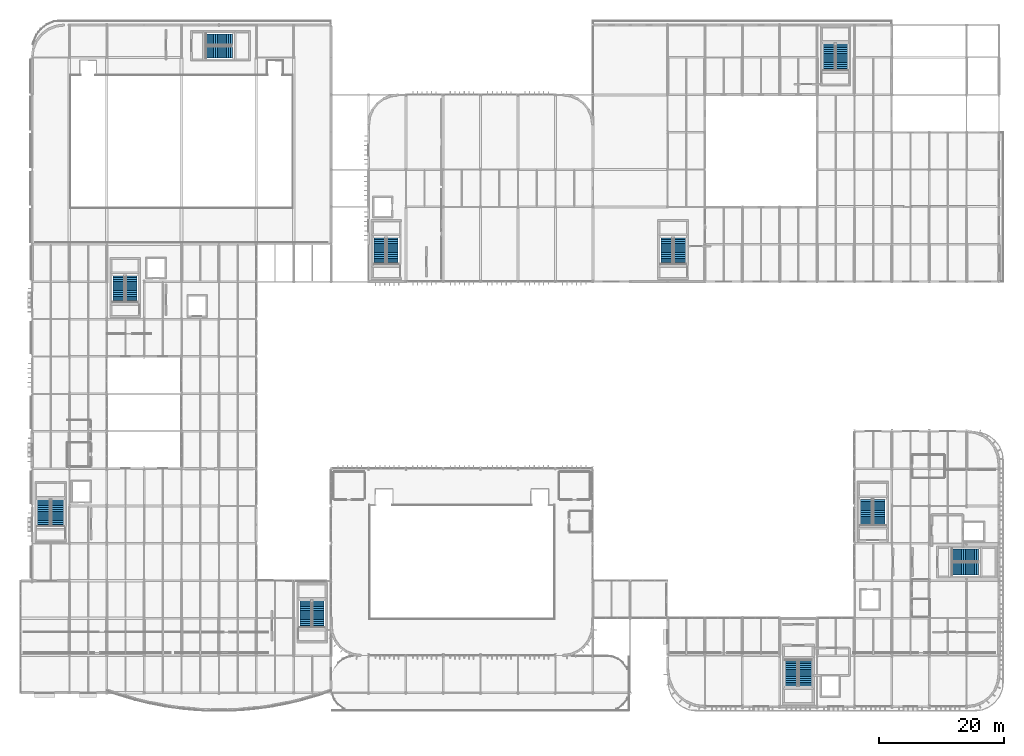
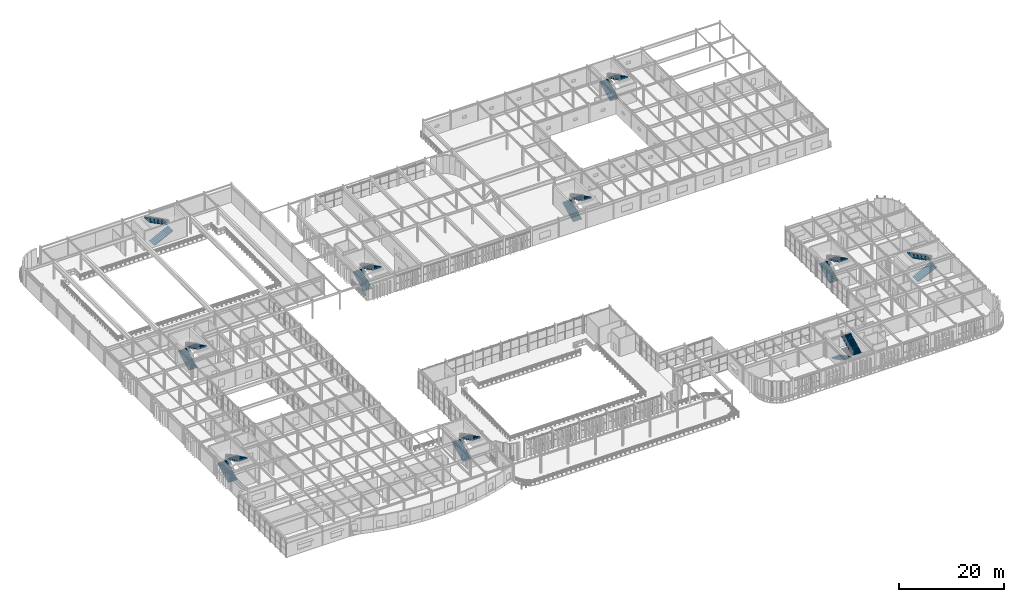
# One storey, part 73 of 96: 20 stair flights, 10 elements without a shape of their own.
"""IFC4 building model written with IfcOpenShell, lengths in metres."""

from ifc_helpers import new_model, si_unit, direction, frame, origin, place, context, subcontext, project, spatial, polyline, outline, extrude, material, type_object, element, aggregate, save


model = new_model("IFC4")

# Units and contexts
model_context = context("Model", 3, precision=1e-05, world=origin(), true_north=direction((0.0, 1.0)))
body_context = subcontext(model_context, "Body", "Model", "MODEL_VIEW")
ifc_project = project(units=[si_unit("LENGTHUNIT", "METRE"), si_unit("AREAUNIT", "SQUARE_METRE"), si_unit("VOLUMEUNIT", "CUBIC_METRE"), si_unit("PLANEANGLEUNIT", "RADIAN"), si_unit("MASSUNIT", "GRAM", prefix="KILO")], contexts=[model_context])

# Site, building, storey
site_placement = place(None, origin())
site = spatial("IfcSite", under=ifc_project, at=site_placement, CompositionType="ELEMENT")
building_placement = place(site_placement, origin())
building = spatial("IfcBuilding", under=site, at=building_placement, Name="Varnakota Square Police Headquarters", CompositionType="ELEMENT")
storey_placement = place(building_placement, frame((0.0, 0.0, 4.800048828125)))
storey = spatial("IfcBuildingStorey", under=building, at=storey_placement, Name="L01", CompositionType="ELEMENT", Elevation=4.800048828125)

# Stair, stair flights
ifc_material = material(Name="Concrete M40", Category="concrete")
stair_type_1 = type_object("IfcStairType", Name="STR-DOG-1850", PredefinedType="USERDEFINED", material=ifc_material)
stair_1_placement = place(storey_placement, origin())
stair_1 = element("IfcStair", 1, at=stair_1_placement, inside=storey, type_object=stair_type_1, Name="Protected exit stair ST5 (L01)", ObjectType="TWO_RETURN_STAIR", PredefinedType="USERDEFINED")
stair_flight_type_1 = type_object("IfcStairFlightType", Name="SFL-DOG-1850", PredefinedType="STRAIGHT", material=ifc_material)
stair_flight_1_placement = place(storey_placement, frame((19.945068359375, 65.75, 0.0), z_axis=(0.0, 0.0, 1.0), x_axis=(0.0, 1.0, 0.0)))
stair_flight_1 = element("IfcStairFlight", 2, at=stair_flight_1_placement, type_object=stair_flight_type_1, Name="ST5-L01 flight 1", NumberOfRisers=15, NumberOfTreads=14, PredefinedType="STRAIGHT", RiserHeight=0.15, TreadLength=0.3, context=body_context, shape_type="SweptSolid", body=[
    extrude(outline(polyline([(0.0, 0.0), (0.0, 0.14990234375), (0.300048828125, 0.14990234375), (0.300048828125, 0.300048828125), (0.60009765625, 0.300048828125), (0.60009765625, 0.449951171875), (0.900146484375, 0.449951171875), (0.900146484375, 0.60009765625), (1.2001953125, 0.60009765625), (1.2001953125, 0.75), (1.500244140625, 0.75), (1.500244140625, 0.89990234375), (1.80029296875, 0.89990234375), (1.80029296875, 1.050048828125), (2.100341796875, 1.050048828125), (2.100341796875, 1.199951171875), (2.400390625, 1.199951171875), (2.400390625, 1.35009765625), (2.700439453125, 1.35009765625), (2.700439453125, 1.5), (3.00048828125, 1.5), (3.00048828125, 1.64990234375), (3.300537109375, 1.64990234375), (3.300537109375, 1.800048828125), (3.6005859375, 1.800048828125), (3.6005859375, 1.949951171875), (3.900634765625, 1.949951171875), (3.900634765625, 2.10009765625), (4.20068359375, 2.10009765625), (4.20068359375, 2.25), (4.20068359375, 1.89892578125), (0.40234375, 0.0), (0.0, 0.0)])), frame((0.0, 0.925048828125, 0.0), z_axis=(0.0, -1.0, 0.0), x_axis=(1.0, 0.0, 0.0)), (0.0, 0.0, 1.0), 1.85009765625),
])
stair_flight_2_placement = place(storey_placement, frame((21.955078125, 69.95068359375, 2.25), z_axis=(0.0, 0.0, 1.0), x_axis=(0.0, -1.0, 0.0)))
stair_flight_2 = element("IfcStairFlight", 3, at=stair_flight_2_placement, type_object=stair_flight_type_1, Name="ST5-L01 flight 2", NumberOfRisers=15, NumberOfTreads=14, PredefinedType="STRAIGHT", RiserHeight=0.15, TreadLength=0.3, context=body_context, shape_type="SweptSolid", body=[
    extrude(outline(polyline([(0.0, 0.0), (0.0, 0.14990234375), (0.300048828125, 0.14990234375), (0.300048828125, 0.300048828125), (0.60009765625, 0.300048828125), (0.60009765625, 0.449951171875), (0.900146484375, 0.449951171875), (0.900146484375, 0.60009765625), (1.2001953125, 0.60009765625), (1.2001953125, 0.75), (1.500244140625, 0.75), (1.500244140625, 0.89990234375), (1.80029296875, 0.89990234375), (1.80029296875, 1.050048828125), (2.100341796875, 1.050048828125), (2.100341796875, 1.199951171875), (2.400390625, 1.199951171875), (2.400390625, 1.35009765625), (2.700439453125, 1.35009765625), (2.700439453125, 1.5), (3.00048828125, 1.5), (3.00048828125, 1.64990234375), (3.300537109375, 1.64990234375), (3.300537109375, 1.800048828125), (3.6005859375, 1.800048828125), (3.6005859375, 1.949951171875), (3.900634765625, 1.949951171875), (3.900634765625, 2.10009765625), (4.20068359375, 2.10009765625), (4.20068359375, 2.25), (4.20068359375, 1.89892578125), (0.40234375, 0.0), (0.0, 0.0)])), frame((0.0, 0.925048828125, 0.0), z_axis=(0.0, -1.0, 0.0), x_axis=(1.0, 0.0, 0.0)), (0.0, 0.0, 1.0), 1.85009765625),
])
aggregate(stair_1, [stair_flight_1, stair_flight_2])

stair_2_placement = place(storey_placement, origin())
stair_2 = element("IfcStair", 4, at=stair_2_placement, inside=storey, type_object=stair_type_1, Name="Protected exit stair ST6 (L01)", ObjectType="TWO_RETURN_STAIR", PredefinedType="USERDEFINED")
stair_flight_3_placement = place(storey_placement, frame((61.844970703125, 71.85009765625, 0.0), z_axis=(0.0, 0.0, 1.0), x_axis=(0.0, 1.0, 0.0)))
stair_flight_3 = element("IfcStairFlight", 5, at=stair_flight_3_placement, type_object=stair_flight_type_1, Name="ST6-L01 flight 1", NumberOfRisers=15, NumberOfTreads=14, PredefinedType="STRAIGHT", RiserHeight=0.15, TreadLength=0.3, context=body_context, shape_type="SweptSolid", body=[
    extrude(outline(polyline([(0.0, 0.0), (0.0, 0.14990234375), (0.300048828125, 0.14990234375), (0.300048828125, 0.300048828125), (0.60009765625, 0.300048828125), (0.60009765625, 0.449951171875), (0.900146484375, 0.449951171875), (0.900146484375, 0.60009765625), (1.2001953125, 0.60009765625), (1.2001953125, 0.75), (1.500244140625, 0.75), (1.500244140625, 0.89990234375), (1.80029296875, 0.89990234375), (1.80029296875, 1.050048828125), (2.100341796875, 1.050048828125), (2.100341796875, 1.199951171875), (2.400390625, 1.199951171875), (2.400390625, 1.35009765625), (2.700439453125, 1.35009765625), (2.700439453125, 1.5), (3.00048828125, 1.5), (3.00048828125, 1.64990234375), (3.300537109375, 1.64990234375), (3.300537109375, 1.800048828125), (3.6005859375, 1.800048828125), (3.6005859375, 1.949951171875), (3.900634765625, 1.949951171875), (3.900634765625, 2.10009765625), (4.20068359375, 2.10009765625), (4.20068359375, 2.25), (4.20068359375, 1.89892578125), (0.40234375, 0.0), (0.0, 0.0)])), frame((0.0, 0.925048828125, 0.0), z_axis=(0.0, -1.0, 0.0), x_axis=(1.0, 0.0, 0.0)), (0.0, 0.0, 1.0), 1.85009765625),
])
stair_flight_4_placement = place(storey_placement, frame((63.85498046875, 76.05078125, 2.25), z_axis=(0.0, 0.0, 1.0), x_axis=(0.0, -1.0, 0.0)))
stair_flight_4 = element("IfcStairFlight", 6, at=stair_flight_4_placement, type_object=stair_flight_type_1, Name="ST6-L01 flight 2", NumberOfRisers=15, NumberOfTreads=14, PredefinedType="STRAIGHT", RiserHeight=0.15, TreadLength=0.3, context=body_context, shape_type="SweptSolid", body=[
    extrude(outline(polyline([(0.0, 0.0), (0.0, 0.14990234375), (0.300048828125, 0.14990234375), (0.300048828125, 0.300048828125), (0.60009765625, 0.300048828125), (0.60009765625, 0.449951171875), (0.900146484375, 0.449951171875), (0.900146484375, 0.60009765625), (1.2001953125, 0.60009765625), (1.2001953125, 0.75), (1.500244140625, 0.75), (1.500244140625, 0.89990234375), (1.80029296875, 0.89990234375), (1.80029296875, 1.050048828125), (2.100341796875, 1.050048828125), (2.100341796875, 1.199951171875), (2.400390625, 1.199951171875), (2.400390625, 1.35009765625), (2.700439453125, 1.35009765625), (2.700439453125, 1.5), (3.00048828125, 1.5), (3.00048828125, 1.64990234375), (3.300537109375, 1.64990234375), (3.300537109375, 1.800048828125), (3.6005859375, 1.800048828125), (3.6005859375, 1.949951171875), (3.900634765625, 1.949951171875), (3.900634765625, 2.10009765625), (4.20068359375, 2.10009765625), (4.20068359375, 2.25), (4.20068359375, 1.89892578125), (0.40234375, 0.0), (0.0, 0.0)])), frame((0.0, 0.925048828125, 0.0), z_axis=(0.0, -1.0, 0.0), x_axis=(1.0, 0.0, 0.0)), (0.0, 0.0, 1.0), 1.85009765625),
])
aggregate(stair_2, [stair_flight_3, stair_flight_4])

stair_3_placement = place(storey_placement, origin())
stair_3 = element("IfcStair", 7, at=stair_3_placement, inside=storey, type_object=stair_type_1, Name="Protected exit stair ST7 (L01)", ObjectType="TWO_RETURN_STAIR", PredefinedType="USERDEFINED")
stair_flight_5_placement = place(storey_placement, frame((33.949951171875, 105.844970703125, 0.0), z_axis=(0.0, 0.0, 1.0), x_axis=(1.0, 0.0, 0.0)))
stair_flight_5 = element("IfcStairFlight", 8, at=stair_flight_5_placement, type_object=stair_flight_type_1, Name="ST7-L01 flight 1", NumberOfRisers=15, NumberOfTreads=14, PredefinedType="STRAIGHT", RiserHeight=0.15, TreadLength=0.3, context=body_context, shape_type="SweptSolid", body=[
    extrude(outline(polyline([(0.0, 0.0), (0.0, 0.14990234375), (0.300048828125, 0.14990234375), (0.300048828125, 0.300048828125), (0.60009765625, 0.300048828125), (0.60009765625, 0.449951171875), (0.900146484375, 0.449951171875), (0.900146484375, 0.60009765625), (1.2001953125, 0.60009765625), (1.2001953125, 0.75), (1.500244140625, 0.75), (1.500244140625, 0.89990234375), (1.80029296875, 0.89990234375), (1.80029296875, 1.050048828125), (2.100341796875, 1.050048828125), (2.100341796875, 1.199951171875), (2.400390625, 1.199951171875), (2.400390625, 1.35009765625), (2.700439453125, 1.35009765625), (2.700439453125, 1.5), (3.00048828125, 1.5), (3.00048828125, 1.64990234375), (3.300537109375, 1.64990234375), (3.300537109375, 1.800048828125), (3.6005859375, 1.800048828125), (3.6005859375, 1.949951171875), (3.900634765625, 1.949951171875), (3.900634765625, 2.10009765625), (4.20068359375, 2.10009765625), (4.20068359375, 2.25), (4.20068359375, 1.89892578125), (0.40234375, 0.0), (0.0, 0.0)])), frame((0.0, 0.925048828125, 0.0), z_axis=(0.0, -1.0, 0.0), x_axis=(1.0, 0.0, 0.0)), (0.0, 0.0, 1.0), 1.85009765625),
])
stair_flight_6_placement = place(storey_placement, frame((38.150634765625, 107.85498046875, 2.25), z_axis=(0.0, 0.0, 1.0), x_axis=(-1.0, 0.0, 0.0)))
stair_flight_6 = element("IfcStairFlight", 9, at=stair_flight_6_placement, type_object=stair_flight_type_1, Name="ST7-L01 flight 2", NumberOfRisers=15, NumberOfTreads=14, PredefinedType="STRAIGHT", RiserHeight=0.15, TreadLength=0.3, context=body_context, shape_type="SweptSolid", body=[
    extrude(outline(polyline([(0.0, 0.0), (0.0, 0.14990234375), (0.300048828125, 0.14990234375), (0.300048828125, 0.300048828125), (0.60009765625, 0.300048828125), (0.60009765625, 0.449951171875), (0.900146484375, 0.449951171875), (0.900146484375, 0.60009765625), (1.2001953125, 0.60009765625), (1.2001953125, 0.75), (1.500244140625, 0.75), (1.500244140625, 0.89990234375), (1.80029296875, 0.89990234375), (1.80029296875, 1.050048828125), (2.100341796875, 1.050048828125), (2.100341796875, 1.199951171875), (2.400390625, 1.199951171875), (2.400390625, 1.35009765625), (2.700439453125, 1.35009765625), (2.700439453125, 1.5), (3.00048828125, 1.5), (3.00048828125, 1.64990234375), (3.300537109375, 1.64990234375), (3.300537109375, 1.800048828125), (3.6005859375, 1.800048828125), (3.6005859375, 1.949951171875), (3.900634765625, 1.949951171875), (3.900634765625, 2.10009765625), (4.20068359375, 2.10009765625), (4.20068359375, 2.25), (4.20068359375, 1.89892578125), (0.40234375, 0.0), (0.0, 0.0)])), frame((0.0, 0.925048828125, 0.0), z_axis=(0.0, -1.0, 0.0), x_axis=(1.0, 0.0, 0.0)), (0.0, 0.0, 1.0), 1.85009765625),
])
aggregate(stair_3, [stair_flight_5, stair_flight_6])

stair_4_placement = place(storey_placement, origin())
stair_4 = element("IfcStair", 10, at=stair_4_placement, inside=storey, type_object=stair_type_1, Name="Protected exit stair ST8 (L01)", ObjectType="TWO_RETURN_STAIR", PredefinedType="USERDEFINED")
stair_flight_7_placement = place(storey_placement, frame((133.945068359375, 102.949951171875, 0.0), z_axis=(0.0, 0.0, 1.0), x_axis=(0.0, 1.0, 0.0)))
stair_flight_7 = element("IfcStairFlight", 11, at=stair_flight_7_placement, type_object=stair_flight_type_1, Name="ST8-L01 flight 1", NumberOfRisers=15, NumberOfTreads=14, PredefinedType="STRAIGHT", RiserHeight=0.15, TreadLength=0.3, context=body_context, shape_type="SweptSolid", body=[
    extrude(outline(polyline([(0.0, 0.0), (0.0, 0.14990234375), (0.300048828125, 0.14990234375), (0.300048828125, 0.300048828125), (0.60009765625, 0.300048828125), (0.60009765625, 0.449951171875), (0.900146484375, 0.449951171875), (0.900146484375, 0.60009765625), (1.2001953125, 0.60009765625), (1.2001953125, 0.75), (1.500244140625, 0.75), (1.500244140625, 0.89990234375), (1.80029296875, 0.89990234375), (1.80029296875, 1.050048828125), (2.100341796875, 1.050048828125), (2.100341796875, 1.199951171875), (2.400390625, 1.199951171875), (2.400390625, 1.35009765625), (2.700439453125, 1.35009765625), (2.700439453125, 1.5), (3.00048828125, 1.5), (3.00048828125, 1.64990234375), (3.300537109375, 1.64990234375), (3.300537109375, 1.800048828125), (3.6005859375, 1.800048828125), (3.6005859375, 1.949951171875), (3.900634765625, 1.949951171875), (3.900634765625, 2.10009765625), (4.20068359375, 2.10009765625), (4.20068359375, 2.25), (4.20068359375, 1.89892578125), (0.40234375, 0.0), (0.0, 0.0)])), frame((0.0, 0.925048828125, 0.0), z_axis=(0.0, -1.0, 0.0), x_axis=(1.0, 0.0, 0.0)), (0.0, 0.0, 1.0), 1.85009765625),
])
stair_flight_8_placement = place(storey_placement, frame((135.955078125, 107.150634765625, 2.25), z_axis=(0.0, 0.0, 1.0), x_axis=(0.0, -1.0, 0.0)))
stair_flight_8 = element("IfcStairFlight", 12, at=stair_flight_8_placement, type_object=stair_flight_type_1, Name="ST8-L01 flight 2", NumberOfRisers=15, NumberOfTreads=14, PredefinedType="STRAIGHT", RiserHeight=0.15, TreadLength=0.3, context=body_context, shape_type="SweptSolid", body=[
    extrude(outline(polyline([(0.0, 0.0), (0.0, 0.14990234375), (0.300048828125, 0.14990234375), (0.300048828125, 0.300048828125), (0.60009765625, 0.300048828125), (0.60009765625, 0.449951171875), (0.900146484375, 0.449951171875), (0.900146484375, 0.60009765625), (1.2001953125, 0.60009765625), (1.2001953125, 0.75), (1.500244140625, 0.75), (1.500244140625, 0.89990234375), (1.80029296875, 0.89990234375), (1.80029296875, 1.050048828125), (2.100341796875, 1.050048828125), (2.100341796875, 1.199951171875), (2.400390625, 1.199951171875), (2.400390625, 1.35009765625), (2.700439453125, 1.35009765625), (2.700439453125, 1.5), (3.00048828125, 1.5), (3.00048828125, 1.64990234375), (3.300537109375, 1.64990234375), (3.300537109375, 1.800048828125), (3.6005859375, 1.800048828125), (3.6005859375, 1.949951171875), (3.900634765625, 1.949951171875), (3.900634765625, 2.10009765625), (4.20068359375, 2.10009765625), (4.20068359375, 2.25), (4.20068359375, 1.89892578125), (0.40234375, 0.0), (0.0, 0.0)])), frame((0.0, 0.925048828125, 0.0), z_axis=(0.0, -1.0, 0.0), x_axis=(1.0, 0.0, 0.0)), (0.0, 0.0, 1.0), 1.85009765625),
])
aggregate(stair_4, [stair_flight_7, stair_flight_8])

stair_5_placement = place(storey_placement, origin())
stair_5 = element("IfcStair", 13, at=stair_5_placement, inside=storey, type_object=stair_type_1, Name="Protected exit stair ST10 (L01)", ObjectType="TWO_RETURN_STAIR", PredefinedType="USERDEFINED")
stair_flight_9_placement = place(storey_placement, frame((49.945068359375, 13.550048828125, 0.0), z_axis=(0.0, 0.0, 1.0), x_axis=(0.0, 1.0, 0.0)))
stair_flight_9 = element("IfcStairFlight", 14, at=stair_flight_9_placement, type_object=stair_flight_type_1, Name="ST10-L01 flight 1", NumberOfRisers=15, NumberOfTreads=14, PredefinedType="STRAIGHT", RiserHeight=0.15, TreadLength=0.3, context=body_context, shape_type="SweptSolid", body=[
    extrude(outline(polyline([(0.0, 0.0), (0.0, 0.14990234375), (0.300048828125, 0.14990234375), (0.300048828125, 0.300048828125), (0.60009765625, 0.300048828125), (0.60009765625, 0.449951171875), (0.900146484375, 0.449951171875), (0.900146484375, 0.60009765625), (1.2001953125, 0.60009765625), (1.2001953125, 0.75), (1.500244140625, 0.75), (1.500244140625, 0.89990234375), (1.80029296875, 0.89990234375), (1.80029296875, 1.050048828125), (2.100341796875, 1.050048828125), (2.100341796875, 1.199951171875), (2.400390625, 1.199951171875), (2.400390625, 1.35009765625), (2.700439453125, 1.35009765625), (2.700439453125, 1.5), (3.00048828125, 1.5), (3.00048828125, 1.64990234375), (3.300537109375, 1.64990234375), (3.300537109375, 1.800048828125), (3.6005859375, 1.800048828125), (3.6005859375, 1.949951171875), (3.900634765625, 1.949951171875), (3.900634765625, 2.10009765625), (4.20068359375, 2.10009765625), (4.20068359375, 2.25), (4.20068359375, 1.89892578125), (0.40234375, 0.0), (0.0, 0.0)])), frame((0.0, 0.925048828125, 0.0), z_axis=(0.0, -1.0, 0.0), x_axis=(1.0, 0.0, 0.0)), (0.0, 0.0, 1.0), 1.85009765625),
])
stair_flight_10_placement = place(storey_placement, frame((51.955078125, 17.750732421875, 2.25), z_axis=(0.0, 0.0, 1.0), x_axis=(0.0, -1.0, 0.0)))
stair_flight_10 = element("IfcStairFlight", 15, at=stair_flight_10_placement, type_object=stair_flight_type_1, Name="ST10-L01 flight 2", NumberOfRisers=15, NumberOfTreads=14, PredefinedType="STRAIGHT", RiserHeight=0.15, TreadLength=0.3, context=body_context, shape_type="SweptSolid", body=[
    extrude(outline(polyline([(0.0, 0.0), (0.0, 0.14990234375), (0.300048828125, 0.14990234375), (0.300048828125, 0.300048828125), (0.60009765625, 0.300048828125), (0.60009765625, 0.449951171875), (0.900146484375, 0.449951171875), (0.900146484375, 0.60009765625), (1.2001953125, 0.60009765625), (1.2001953125, 0.75), (1.500244140625, 0.75), (1.500244140625, 0.89990234375), (1.80029296875, 0.89990234375), (1.80029296875, 1.050048828125), (2.100341796875, 1.050048828125), (2.100341796875, 1.199951171875), (2.400390625, 1.199951171875), (2.400390625, 1.35009765625), (2.700439453125, 1.35009765625), (2.700439453125, 1.5), (3.00048828125, 1.5), (3.00048828125, 1.64990234375), (3.300537109375, 1.64990234375), (3.300537109375, 1.800048828125), (3.6005859375, 1.800048828125), (3.6005859375, 1.949951171875), (3.900634765625, 1.949951171875), (3.900634765625, 2.10009765625), (4.20068359375, 2.10009765625), (4.20068359375, 2.25), (4.20068359375, 1.89892578125), (0.40234375, 0.0), (0.0, 0.0)])), frame((0.0, 0.925048828125, 0.0), z_axis=(0.0, -1.0, 0.0), x_axis=(1.0, 0.0, 0.0)), (0.0, 0.0, 1.0), 1.85009765625),
])
aggregate(stair_5, [stair_flight_9, stair_flight_10])

stair_type_2 = type_object("IfcStairType", Name="STR-DOG-1900", PredefinedType="USERDEFINED", material=ifc_material)
stair_6_placement = place(storey_placement, origin())
stair_6 = element("IfcStair", 16, at=stair_6_placement, inside=storey, type_object=stair_type_2, Name="Protected exit stair ST3 (L01)", ObjectType="TWO_RETURN_STAIR", PredefinedType="USERDEFINED")
stair_flight_type_2 = type_object("IfcStairFlightType", Name="SFL-DOG-1900", PredefinedType="STRAIGHT", material=ifc_material)
stair_flight_11_placement = place(storey_placement, frame((139.919921875, 29.85009765625, 0.0), z_axis=(0.0, 0.0, 1.0), x_axis=(0.0, 1.0, 0.0)))
stair_flight_11 = element("IfcStairFlight", 17, at=stair_flight_11_placement, type_object=stair_flight_type_2, Name="ST3-L01 flight 1", NumberOfRisers=15, NumberOfTreads=14, PredefinedType="STRAIGHT", RiserHeight=0.15, TreadLength=0.3, context=body_context, shape_type="SweptSolid", body=[
    extrude(outline(polyline([(0.0, 0.0), (0.0, 0.14990234375), (0.300048828125, 0.14990234375), (0.300048828125, 0.300048828125), (0.60009765625, 0.300048828125), (0.60009765625, 0.449951171875), (0.900146484375, 0.449951171875), (0.900146484375, 0.60009765625), (1.2001953125, 0.60009765625), (1.2001953125, 0.75), (1.500244140625, 0.75), (1.500244140625, 0.89990234375), (1.80029296875, 0.89990234375), (1.80029296875, 1.050048828125), (2.100341796875, 1.050048828125), (2.100341796875, 1.199951171875), (2.400390625, 1.199951171875), (2.400390625, 1.35009765625), (2.700439453125, 1.35009765625), (2.700439453125, 1.5), (3.00048828125, 1.5), (3.00048828125, 1.64990234375), (3.300537109375, 1.64990234375), (3.300537109375, 1.800048828125), (3.6005859375, 1.800048828125), (3.6005859375, 1.949951171875), (3.900634765625, 1.949951171875), (3.900634765625, 2.10009765625), (4.20068359375, 2.10009765625), (4.20068359375, 2.25), (4.20068359375, 1.89892578125), (0.40234375, 0.0), (0.0, 0.0)])), frame((0.0, 0.949951171875, 0.0), z_axis=(0.0, -1.0, 0.0), x_axis=(1.0, 0.0, 0.0)), (0.0, 0.0, 1.0), 1.89990234375),
])
stair_flight_12_placement = place(storey_placement, frame((141.97998046875, 34.05078125, 2.25), z_axis=(0.0, 0.0, 1.0), x_axis=(0.0, -1.0, 0.0)))
stair_flight_12 = element("IfcStairFlight", 18, at=stair_flight_12_placement, type_object=stair_flight_type_2, Name="ST3-L01 flight 2", NumberOfRisers=15, NumberOfTreads=14, PredefinedType="STRAIGHT", RiserHeight=0.15, TreadLength=0.3, context=body_context, shape_type="SweptSolid", body=[
    extrude(outline(polyline([(0.0, 0.0), (0.0, 0.14990234375), (0.300048828125, 0.14990234375), (0.300048828125, 0.300048828125), (0.60009765625, 0.300048828125), (0.60009765625, 0.449951171875), (0.900146484375, 0.449951171875), (0.900146484375, 0.60009765625), (1.2001953125, 0.60009765625), (1.2001953125, 0.75), (1.500244140625, 0.75), (1.500244140625, 0.89990234375), (1.80029296875, 0.89990234375), (1.80029296875, 1.050048828125), (2.100341796875, 1.050048828125), (2.100341796875, 1.199951171875), (2.400390625, 1.199951171875), (2.400390625, 1.35009765625), (2.700439453125, 1.35009765625), (2.700439453125, 1.5), (3.00048828125, 1.5), (3.00048828125, 1.64990234375), (3.300537109375, 1.64990234375), (3.300537109375, 1.800048828125), (3.6005859375, 1.800048828125), (3.6005859375, 1.949951171875), (3.900634765625, 1.949951171875), (3.900634765625, 2.10009765625), (4.20068359375, 2.10009765625), (4.20068359375, 2.25), (4.20068359375, 1.89892578125), (0.40234375, 0.0), (0.0, 0.0)])), frame((0.0, 0.949951171875, 0.0), z_axis=(0.0, -1.0, 0.0), x_axis=(1.0, 0.0, 0.0)), (0.0, 0.0, 1.0), 1.89990234375),
])
aggregate(stair_6, [stair_flight_11, stair_flight_12])

stair_7_placement = place(storey_placement, origin())
stair_7 = element("IfcStair", 19, at=stair_7_placement, inside=storey, type_object=stair_type_2, Name="Protected exit stair ST9 (L01)", ObjectType="TWO_RETURN_STAIR", PredefinedType="USERDEFINED")
stair_flight_13_placement = place(storey_placement, frame((107.8701171875, 71.85009765625, 0.0), z_axis=(0.0, 0.0, 1.0), x_axis=(0.0, 1.0, 0.0)))
stair_flight_13 = element("IfcStairFlight", 20, at=stair_flight_13_placement, type_object=stair_flight_type_2, Name="ST9-L01 flight 1", NumberOfRisers=15, NumberOfTreads=14, PredefinedType="STRAIGHT", RiserHeight=0.15, TreadLength=0.3, context=body_context, shape_type="SweptSolid", body=[
    extrude(outline(polyline([(0.0, 0.0), (0.0, 0.14990234375), (0.300048828125, 0.14990234375), (0.300048828125, 0.300048828125), (0.60009765625, 0.300048828125), (0.60009765625, 0.449951171875), (0.900146484375, 0.449951171875), (0.900146484375, 0.60009765625), (1.2001953125, 0.60009765625), (1.2001953125, 0.75), (1.500244140625, 0.75), (1.500244140625, 0.89990234375), (1.80029296875, 0.89990234375), (1.80029296875, 1.050048828125), (2.100341796875, 1.050048828125), (2.100341796875, 1.199951171875), (2.400390625, 1.199951171875), (2.400390625, 1.35009765625), (2.700439453125, 1.35009765625), (2.700439453125, 1.5), (3.00048828125, 1.5), (3.00048828125, 1.64990234375), (3.300537109375, 1.64990234375), (3.300537109375, 1.800048828125), (3.6005859375, 1.800048828125), (3.6005859375, 1.949951171875), (3.900634765625, 1.949951171875), (3.900634765625, 2.10009765625), (4.20068359375, 2.10009765625), (4.20068359375, 2.25), (4.20068359375, 1.89892578125), (0.40234375, 0.0), (0.0, 0.0)])), frame((0.0, 0.949951171875, 0.0), z_axis=(0.0, -1.0, 0.0), x_axis=(1.0, 0.0, 0.0)), (0.0, 0.0, 1.0), 1.89990234375),
])
stair_flight_14_placement = place(storey_placement, frame((109.929931640625, 76.05078125, 2.25), z_axis=(0.0, 0.0, 1.0), x_axis=(0.0, -1.0, 0.0)))
stair_flight_14 = element("IfcStairFlight", 21, at=stair_flight_14_placement, type_object=stair_flight_type_2, Name="ST9-L01 flight 2", NumberOfRisers=15, NumberOfTreads=14, PredefinedType="STRAIGHT", RiserHeight=0.15, TreadLength=0.3, context=body_context, shape_type="SweptSolid", body=[
    extrude(outline(polyline([(0.0, 0.0), (0.0, 0.14990234375), (0.300048828125, 0.14990234375), (0.300048828125, 0.300048828125), (0.60009765625, 0.300048828125), (0.60009765625, 0.449951171875), (0.900146484375, 0.449951171875), (0.900146484375, 0.60009765625), (1.2001953125, 0.60009765625), (1.2001953125, 0.75), (1.500244140625, 0.75), (1.500244140625, 0.89990234375), (1.80029296875, 0.89990234375), (1.80029296875, 1.050048828125), (2.100341796875, 1.050048828125), (2.100341796875, 1.199951171875), (2.400390625, 1.199951171875), (2.400390625, 1.35009765625), (2.700439453125, 1.35009765625), (2.700439453125, 1.5), (3.00048828125, 1.5), (3.00048828125, 1.64990234375), (3.300537109375, 1.64990234375), (3.300537109375, 1.800048828125), (3.6005859375, 1.800048828125), (3.6005859375, 1.949951171875), (3.900634765625, 1.949951171875), (3.900634765625, 2.10009765625), (4.20068359375, 2.10009765625), (4.20068359375, 2.25), (4.20068359375, 1.89892578125), (0.40234375, 0.0), (0.0, 0.0)])), frame((0.0, 0.949951171875, 0.0), z_axis=(0.0, -1.0, 0.0), x_axis=(1.0, 0.0, 0.0)), (0.0, 0.0, 1.0), 1.89990234375),
])
aggregate(stair_7, [stair_flight_13, stair_flight_14])

stair_type_3 = type_object("IfcStairType", Name="STR-DOG-2000", PredefinedType="USERDEFINED", material=ifc_material)
stair_8_placement = place(storey_placement, origin())
stair_8 = element("IfcStair", 22, at=stair_8_placement, inside=storey, type_object=stair_type_3, Name="Protected exit stair ST1 (L01)", ObjectType="TWO_RETURN_STAIR", PredefinedType="USERDEFINED")
stair_flight_type_3 = type_object("IfcStairFlightType", Name="SFL-DOG-2000", PredefinedType="STRAIGHT", material=ifc_material)
stair_flight_15_placement = place(storey_placement, frame((127.919921875, 8.300048828125, 0.0), z_axis=(0.0, 0.0, 1.0), x_axis=(0.0, -1.0, 0.0)))
stair_flight_15 = element("IfcStairFlight", 23, at=stair_flight_15_placement, type_object=stair_flight_type_3, Name="ST1-L01 flight 1", NumberOfRisers=15, NumberOfTreads=14, PredefinedType="STRAIGHT", RiserHeight=0.15, TreadLength=0.3, context=body_context, shape_type="SweptSolid", body=[
    extrude(outline(polyline([(0.0, 0.0), (0.0, 0.14990234375), (0.300048828125, 0.14990234375), (0.300048828125, 0.300048828125), (0.60009765625, 0.300048828125), (0.60009765625, 0.449951171875), (0.900146484375, 0.449951171875), (0.900146484375, 0.60009765625), (1.2001953125, 0.60009765625), (1.2001953125, 0.75), (1.500244140625, 0.75), (1.500244140625, 0.89990234375), (1.80029296875, 0.89990234375), (1.80029296875, 1.050048828125), (2.100341796875, 1.050048828125), (2.100341796875, 1.199951171875), (2.400390625, 1.199951171875), (2.400390625, 1.35009765625), (2.700439453125, 1.35009765625), (2.700439453125, 1.5), (3.00048828125, 1.5), (3.00048828125, 1.64990234375), (3.300537109375, 1.64990234375), (3.300537109375, 1.800048828125), (3.6005859375, 1.800048828125), (3.6005859375, 1.949951171875), (3.900634765625, 1.949951171875), (3.900634765625, 2.10009765625), (4.20068359375, 2.10009765625), (4.20068359375, 2.25), (4.20068359375, 1.89892578125), (0.40234375, 0.0), (0.0, 0.0)])), frame((0.0, 1.0, 0.0), z_axis=(0.0, -1.0, 0.0), x_axis=(1.0, 0.0, 0.0)), (0.0, 0.0, 1.0), 2.0),
])
stair_flight_16_placement = place(storey_placement, frame((130.080078125, 4.099365234375, 2.25), z_axis=(0.0, 0.0, 1.0), x_axis=(0.0, 1.0, 0.0)))
stair_flight_16 = element("IfcStairFlight", 24, at=stair_flight_16_placement, type_object=stair_flight_type_3, Name="ST1-L01 flight 2", NumberOfRisers=15, NumberOfTreads=14, PredefinedType="STRAIGHT", RiserHeight=0.15, TreadLength=0.3, context=body_context, shape_type="SweptSolid", body=[
    extrude(outline(polyline([(0.0, 0.0), (0.0, 0.14990234375), (0.300048828125, 0.14990234375), (0.300048828125, 0.300048828125), (0.60009765625, 0.300048828125), (0.60009765625, 0.449951171875), (0.900146484375, 0.449951171875), (0.900146484375, 0.60009765625), (1.2001953125, 0.60009765625), (1.2001953125, 0.75), (1.500244140625, 0.75), (1.500244140625, 0.89990234375), (1.80029296875, 0.89990234375), (1.80029296875, 1.050048828125), (2.100341796875, 1.050048828125), (2.100341796875, 1.199951171875), (2.400390625, 1.199951171875), (2.400390625, 1.35009765625), (2.700439453125, 1.35009765625), (2.700439453125, 1.5), (3.00048828125, 1.5), (3.00048828125, 1.64990234375), (3.300537109375, 1.64990234375), (3.300537109375, 1.800048828125), (3.6005859375, 1.800048828125), (3.6005859375, 1.949951171875), (3.900634765625, 1.949951171875), (3.900634765625, 2.10009765625), (4.20068359375, 2.10009765625), (4.20068359375, 2.25), (4.20068359375, 1.89892578125), (0.40234375, 0.0), (0.0, 0.0)])), frame((0.0, 1.0, 0.0), z_axis=(0.0, -1.0, 0.0), x_axis=(1.0, 0.0, 0.0)), (0.0, 0.0, 1.0), 2.0),
])
aggregate(stair_8, [stair_flight_15, stair_flight_16])

stair_9_placement = place(storey_placement, origin())
stair_9 = element("IfcStair", 25, at=stair_9_placement, inside=storey, type_object=stair_type_3, Name="Protected exit stair ST2 (L01)", ObjectType="TWO_RETURN_STAIR", PredefinedType="USERDEFINED")
stair_flight_17_placement = place(storey_placement, frame((153.699951171875, 22.919921875, 0.0), z_axis=(0.0, 0.0, 1.0), x_axis=(1.0, 0.0, 0.0)))
stair_flight_17 = element("IfcStairFlight", 26, at=stair_flight_17_placement, type_object=stair_flight_type_3, Name="ST2-L01 flight 1", NumberOfRisers=15, NumberOfTreads=14, PredefinedType="STRAIGHT", RiserHeight=0.15, TreadLength=0.3, context=body_context, shape_type="SweptSolid", body=[
    extrude(outline(polyline([(0.0, 0.0), (0.0, 0.14990234375), (0.300048828125, 0.14990234375), (0.300048828125, 0.300048828125), (0.60009765625, 0.300048828125), (0.60009765625, 0.449951171875), (0.900146484375, 0.449951171875), (0.900146484375, 0.60009765625), (1.2001953125, 0.60009765625), (1.2001953125, 0.75), (1.500244140625, 0.75), (1.500244140625, 0.89990234375), (1.80029296875, 0.89990234375), (1.80029296875, 1.050048828125), (2.100341796875, 1.050048828125), (2.100341796875, 1.199951171875), (2.400390625, 1.199951171875), (2.400390625, 1.35009765625), (2.700439453125, 1.35009765625), (2.700439453125, 1.5), (3.00048828125, 1.5), (3.00048828125, 1.64990234375), (3.300537109375, 1.64990234375), (3.300537109375, 1.800048828125), (3.6005859375, 1.800048828125), (3.6005859375, 1.949951171875), (3.900634765625, 1.949951171875), (3.900634765625, 2.10009765625), (4.20068359375, 2.10009765625), (4.20068359375, 2.25), (4.20068359375, 1.89892578125), (0.40234375, 0.0), (0.0, 0.0)])), frame((0.0, 1.0, 0.0), z_axis=(0.0, -1.0, 0.0), x_axis=(1.0, 0.0, 0.0)), (0.0, 0.0, 1.0), 2.0),
])
stair_flight_18_placement = place(storey_placement, frame((157.900634765625, 25.080078125, 2.25), z_axis=(0.0, 0.0, 1.0), x_axis=(-1.0, 0.0, 0.0)))
stair_flight_18 = element("IfcStairFlight", 27, at=stair_flight_18_placement, type_object=stair_flight_type_3, Name="ST2-L01 flight 2", NumberOfRisers=15, NumberOfTreads=14, PredefinedType="STRAIGHT", RiserHeight=0.15, TreadLength=0.3, context=body_context, shape_type="SweptSolid", body=[
    extrude(outline(polyline([(0.0, 0.0), (0.0, 0.14990234375), (0.300048828125, 0.14990234375), (0.300048828125, 0.300048828125), (0.60009765625, 0.300048828125), (0.60009765625, 0.449951171875), (0.900146484375, 0.449951171875), (0.900146484375, 0.60009765625), (1.2001953125, 0.60009765625), (1.2001953125, 0.75), (1.500244140625, 0.75), (1.500244140625, 0.89990234375), (1.80029296875, 0.89990234375), (1.80029296875, 1.050048828125), (2.100341796875, 1.050048828125), (2.100341796875, 1.199951171875), (2.400390625, 1.199951171875), (2.400390625, 1.35009765625), (2.700439453125, 1.35009765625), (2.700439453125, 1.5), (3.00048828125, 1.5), (3.00048828125, 1.64990234375), (3.300537109375, 1.64990234375), (3.300537109375, 1.800048828125), (3.6005859375, 1.800048828125), (3.6005859375, 1.949951171875), (3.900634765625, 1.949951171875), (3.900634765625, 2.10009765625), (4.20068359375, 2.10009765625), (4.20068359375, 2.25), (4.20068359375, 1.89892578125), (0.40234375, 0.0), (0.0, 0.0)])), frame((0.0, 1.0, 0.0), z_axis=(0.0, -1.0, 0.0), x_axis=(1.0, 0.0, 0.0)), (0.0, 0.0, 1.0), 2.0),
])
aggregate(stair_9, [stair_flight_17, stair_flight_18])

stair_10_placement = place(storey_placement, origin())
stair_10 = element("IfcStair", 28, at=stair_10_placement, inside=storey, type_object=stair_type_3, Name="Protected exit stair ST4 (L01)", ObjectType="TWO_RETURN_STAIR", PredefinedType="USERDEFINED")
stair_flight_19_placement = place(storey_placement, frame((7.919921875, 29.75, 0.0), z_axis=(0.0, 0.0, 1.0), x_axis=(0.0, 1.0, 0.0)))
stair_flight_19 = element("IfcStairFlight", 29, at=stair_flight_19_placement, type_object=stair_flight_type_3, Name="ST4-L01 flight 1", NumberOfRisers=15, NumberOfTreads=14, PredefinedType="STRAIGHT", RiserHeight=0.15, TreadLength=0.3, context=body_context, shape_type="SweptSolid", body=[
    extrude(outline(polyline([(0.0, 0.0), (0.0, 0.14990234375), (0.300048828125, 0.14990234375), (0.300048828125, 0.300048828125), (0.60009765625, 0.300048828125), (0.60009765625, 0.449951171875), (0.900146484375, 0.449951171875), (0.900146484375, 0.60009765625), (1.2001953125, 0.60009765625), (1.2001953125, 0.75), (1.500244140625, 0.75), (1.500244140625, 0.89990234375), (1.80029296875, 0.89990234375), (1.80029296875, 1.050048828125), (2.100341796875, 1.050048828125), (2.100341796875, 1.199951171875), (2.400390625, 1.199951171875), (2.400390625, 1.35009765625), (2.700439453125, 1.35009765625), (2.700439453125, 1.5), (3.00048828125, 1.5), (3.00048828125, 1.64990234375), (3.300537109375, 1.64990234375), (3.300537109375, 1.800048828125), (3.6005859375, 1.800048828125), (3.6005859375, 1.949951171875), (3.900634765625, 1.949951171875), (3.900634765625, 2.10009765625), (4.20068359375, 2.10009765625), (4.20068359375, 2.25), (4.20068359375, 1.89892578125), (0.40234375, 0.0), (0.0, 0.0)])), frame((0.0, 1.0, 0.0), z_axis=(0.0, -1.0, 0.0), x_axis=(1.0, 0.0, 0.0)), (0.0, 0.0, 1.0), 2.0),
])
stair_flight_20_placement = place(storey_placement, frame((10.080078125, 33.95068359375, 2.25), z_axis=(0.0, 0.0, 1.0), x_axis=(0.0, -1.0, 0.0)))
stair_flight_20 = element("IfcStairFlight", 30, at=stair_flight_20_placement, type_object=stair_flight_type_3, Name="ST4-L01 flight 2", NumberOfRisers=15, NumberOfTreads=14, PredefinedType="STRAIGHT", RiserHeight=0.15, TreadLength=0.3, context=body_context, shape_type="SweptSolid", body=[
    extrude(outline(polyline([(0.0, 0.0), (0.0, 0.14990234375), (0.300048828125, 0.14990234375), (0.300048828125, 0.300048828125), (0.60009765625, 0.300048828125), (0.60009765625, 0.449951171875), (0.900146484375, 0.449951171875), (0.900146484375, 0.60009765625), (1.2001953125, 0.60009765625), (1.2001953125, 0.75), (1.500244140625, 0.75), (1.500244140625, 0.89990234375), (1.80029296875, 0.89990234375), (1.80029296875, 1.050048828125), (2.100341796875, 1.050048828125), (2.100341796875, 1.199951171875), (2.400390625, 1.199951171875), (2.400390625, 1.35009765625), (2.700439453125, 1.35009765625), (2.700439453125, 1.5), (3.00048828125, 1.5), (3.00048828125, 1.64990234375), (3.300537109375, 1.64990234375), (3.300537109375, 1.800048828125), (3.6005859375, 1.800048828125), (3.6005859375, 1.949951171875), (3.900634765625, 1.949951171875), (3.900634765625, 2.10009765625), (4.20068359375, 2.10009765625), (4.20068359375, 2.25), (4.20068359375, 1.89892578125), (0.40234375, 0.0), (0.0, 0.0)])), frame((0.0, 1.0, 0.0), z_axis=(0.0, -1.0, 0.0), x_axis=(1.0, 0.0, 0.0)), (0.0, 0.0, 1.0), 2.0),
])
aggregate(stair_10, [stair_flight_19, stair_flight_20])

save(model, "model.ifc")
